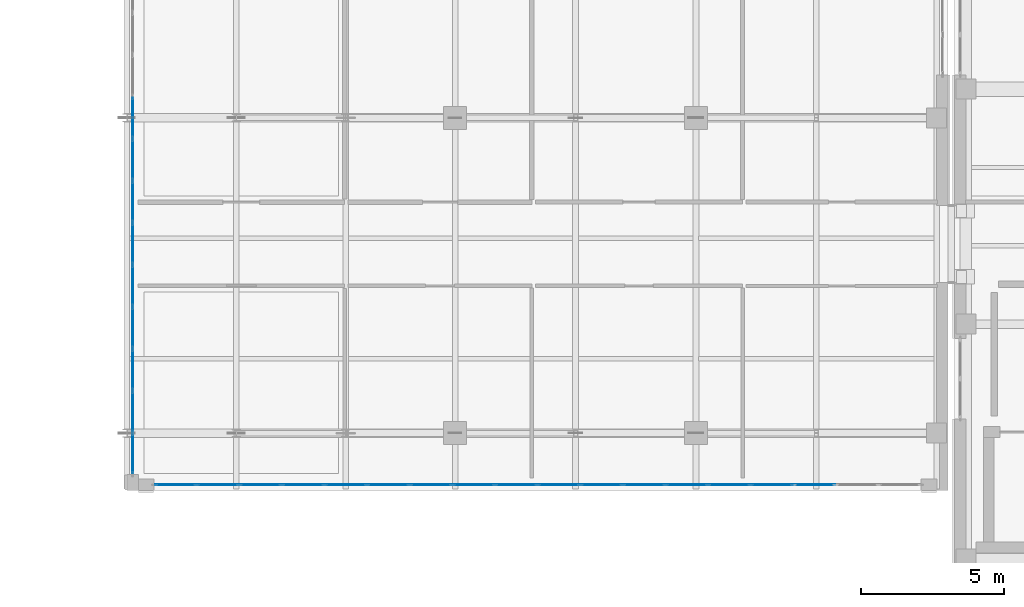
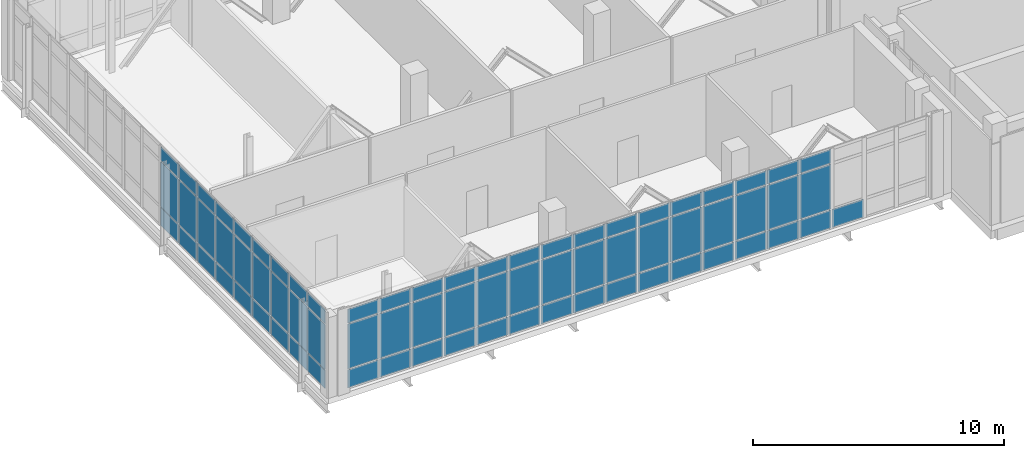
# One storey, part 110 of 158: 73 plates, 2 elements without a shape of their own.
"""IFC4 building model written with IfcOpenShell, lengths in metres."""

from ifc_helpers import new_model, si_unit, direction, frame, origin, origin_2d, place, context, subcontext, project, spatial, rectangle, extrude, material, layer, layer_set, type_object, element, aggregate, save


model = new_model("IFC4")

# Units and contexts
model_context = context("Model", 3, precision=1e-05, world=origin(), true_north=direction((0.0, 1.0)))
body_context = subcontext(model_context, "Body", "Model", "MODEL_VIEW")
ifc_project = project(units=[si_unit("LENGTHUNIT", "METRE"), si_unit("AREAUNIT", "SQUARE_METRE"), si_unit("VOLUMEUNIT", "CUBIC_METRE"), si_unit("PLANEANGLEUNIT", "RADIAN"), si_unit("MASSUNIT", "GRAM", prefix="KILO")], contexts=[model_context])

# Site, building, storey
site_placement = place(None, origin())
site = spatial("IfcSite", under=ifc_project, at=site_placement, CompositionType="ELEMENT")
building_placement = place(site_placement, origin())
building = spatial("IfcBuilding", under=site, at=building_placement, Name="Qalavern Law Courts", CompositionType="ELEMENT")
storey_placement = place(building_placement, frame((0.0, 0.0, 18.60009765625)))
storey = spatial("IfcBuildingStorey", under=building, at=storey_placement, Name="L04", CompositionType="ELEMENT", Elevation=18.60009765625)

# Curtain wall, plates
ifc_material_1 = material(Name="Anodised aluminium and insulated glazing", Category="aluminium")
ifc_layer_1 = layer(ifc_material_1, 0.199951171875)
ifc_layer_set_1 = layer_set([ifc_layer_1], Name="Anodised aluminium and insulated glazing")
curtain_wall_type = type_object("IfcCurtainWallType", Name="ENV-CW-FOYER", PredefinedType="USERDEFINED", material=ifc_layer_set_1)
curtain_wall_1_placement = place(storey_placement, origin())
curtain_wall_1 = element("IfcCurtainWall", 1, at=curtain_wall_1_placement, inside=storey, type_object=curtain_wall_type, Name="V1 unitised curtain wall L04 south 1", ObjectType="UNITISED CURTAIN WALL", PredefinedType="USERDEFINED")
ifc_material_2 = material(Name="Insulated low-E acoustic glazing", Category="glass")
ifc_layer_2 = layer(ifc_material_2, 0.02392578125)
ifc_layer_set_2 = layer_set([ifc_layer_2], Name="Insulated low-E acoustic glazing")
plate_type = type_object("IfcPlateType", Name="ENV-CWP-24", PredefinedType="CURTAIN_PANEL", material=ifc_layer_set_2)
plate_1_placement = place(storey_placement, frame((7.05029296875, 8.199951171875, 0.0478515625), z_axis=(0.0, 0.0, 1.0), x_axis=(1.0, 0.0, 0.0)))
plate_1 = element("IfcPlate", 2, at=plate_1_placement, type_object=plate_type, Name="CW-01 panel 1.1", PredefinedType="CURTAIN_PANEL", context=body_context, shape_type="SweptSolid", body=[
    extrude(rectangle(XDim=1.41455078125, YDim=0.02392578125, at=origin_2d()), origin(), (0.0, 0.0, 1.0), 0.8779296875),
])
plate_2_placement = place(storey_placement, frame((7.05029296875, 8.199951171875, 0.97412109375), z_axis=(0.0, 0.0, 1.0), x_axis=(1.0, 0.0, 0.0)))
plate_2 = element("IfcPlate", 3, at=plate_2_placement, type_object=plate_type, Name="CW-01 panel 1.2", PredefinedType="CURTAIN_PANEL", context=body_context, shape_type="SweptSolid", body=[
    extrude(rectangle(XDim=1.41455078125, YDim=0.02392578125, at=origin_2d()), origin(), (0.0, 0.0, 1.0), 2.177001953125),
])
plate_3_placement = place(storey_placement, frame((7.05029296875, 8.199951171875, 3.19873046875), z_axis=(0.0, 0.0, 1.0), x_axis=(1.0, 0.0, 0.0)))
plate_3 = element("IfcPlate", 4, at=plate_3_placement, type_object=plate_type, Name="CW-01 panel 1.3", PredefinedType="CURTAIN_PANEL", context=body_context, shape_type="SweptSolid", body=[
    extrude(rectangle(XDim=1.41455078125, YDim=0.02392578125, at=origin_2d()), origin(), (0.0, 0.0, 1.0), 0.677978515625),
])
plate_4_placement = place(storey_placement, frame((8.52490234375, 8.199951171875, 0.0478515625), z_axis=(0.0, 0.0, 1.0), x_axis=(1.0, 0.0, 0.0)))
plate_4 = element("IfcPlate", 5, at=plate_4_placement, type_object=plate_type, Name="CW-01 panel 2.1", PredefinedType="CURTAIN_PANEL", context=body_context, shape_type="SweptSolid", body=[
    extrude(rectangle(XDim=1.438720703125, YDim=0.02392578125, at=origin_2d()), origin(), (0.0, 0.0, 1.0), 0.8779296875),
])
plate_5_placement = place(storey_placement, frame((8.52490234375, 8.199951171875, 0.97412109375), z_axis=(0.0, 0.0, 1.0), x_axis=(1.0, 0.0, 0.0)))
plate_5 = element("IfcPlate", 6, at=plate_5_placement, type_object=plate_type, Name="CW-01 panel 2.2", PredefinedType="CURTAIN_PANEL", context=body_context, shape_type="SweptSolid", body=[
    extrude(rectangle(XDim=1.438720703125, YDim=0.02392578125, at=origin_2d()), origin(), (0.0, 0.0, 1.0), 2.177001953125),
])
plate_6_placement = place(storey_placement, frame((8.52490234375, 8.199951171875, 3.19873046875), z_axis=(0.0, 0.0, 1.0), x_axis=(1.0, 0.0, 0.0)))
plate_6 = element("IfcPlate", 7, at=plate_6_placement, type_object=plate_type, Name="CW-01 panel 2.3", PredefinedType="CURTAIN_PANEL", context=body_context, shape_type="SweptSolid", body=[
    extrude(rectangle(XDim=1.438720703125, YDim=0.02392578125, at=origin_2d()), origin(), (0.0, 0.0, 1.0), 0.677978515625),
])
plate_7_placement = place(storey_placement, frame((10.01171875, 8.199951171875, 0.0478515625), z_axis=(0.0, 0.0, 1.0), x_axis=(1.0, 0.0, 0.0)))
plate_7 = element("IfcPlate", 8, at=plate_7_placement, type_object=plate_type, Name="CW-01 panel 3.1", PredefinedType="CURTAIN_PANEL", context=body_context, shape_type="SweptSolid", body=[
    extrude(rectangle(XDim=1.438720703125, YDim=0.02392578125, at=origin_2d()), origin(), (0.0, 0.0, 1.0), 0.8779296875),
])
plate_8_placement = place(storey_placement, frame((10.01171875, 8.199951171875, 0.97412109375), z_axis=(0.0, 0.0, 1.0), x_axis=(1.0, 0.0, 0.0)))
plate_8 = element("IfcPlate", 9, at=plate_8_placement, type_object=plate_type, Name="CW-01 panel 3.2", PredefinedType="CURTAIN_PANEL", context=body_context, shape_type="SweptSolid", body=[
    extrude(rectangle(XDim=1.438720703125, YDim=0.02392578125, at=origin_2d()), origin(), (0.0, 0.0, 1.0), 2.177001953125),
])
plate_9_placement = place(storey_placement, frame((10.01171875, 8.199951171875, 3.19873046875), z_axis=(0.0, 0.0, 1.0), x_axis=(1.0, 0.0, 0.0)))
plate_9 = element("IfcPlate", 10, at=plate_9_placement, type_object=plate_type, Name="CW-01 panel 3.3", PredefinedType="CURTAIN_PANEL", context=body_context, shape_type="SweptSolid", body=[
    extrude(rectangle(XDim=1.438720703125, YDim=0.02392578125, at=origin_2d()), origin(), (0.0, 0.0, 1.0), 0.677978515625),
])
plate_10_placement = place(storey_placement, frame((11.498291015625, 8.199951171875, 0.0478515625), z_axis=(0.0, 0.0, 1.0), x_axis=(1.0, 0.0, 0.0)))
plate_10 = element("IfcPlate", 11, at=plate_10_placement, type_object=plate_type, Name="CW-01 panel 4.1", PredefinedType="CURTAIN_PANEL", context=body_context, shape_type="SweptSolid", body=[
    extrude(rectangle(XDim=1.438720703125, YDim=0.02392578125, at=origin_2d()), origin(), (0.0, 0.0, 1.0), 0.8779296875),
])
plate_11_placement = place(storey_placement, frame((11.498291015625, 8.199951171875, 0.97412109375), z_axis=(0.0, 0.0, 1.0), x_axis=(1.0, 0.0, 0.0)))
plate_11 = element("IfcPlate", 12, at=plate_11_placement, type_object=plate_type, Name="CW-01 panel 4.2", PredefinedType="CURTAIN_PANEL", context=body_context, shape_type="SweptSolid", body=[
    extrude(rectangle(XDim=1.438720703125, YDim=0.02392578125, at=origin_2d()), origin(), (0.0, 0.0, 1.0), 2.177001953125),
])
plate_12_placement = place(storey_placement, frame((11.498291015625, 8.199951171875, 3.19873046875), z_axis=(0.0, 0.0, 1.0), x_axis=(1.0, 0.0, 0.0)))
plate_12 = element("IfcPlate", 13, at=plate_12_placement, type_object=plate_type, Name="CW-01 panel 4.3", PredefinedType="CURTAIN_PANEL", context=body_context, shape_type="SweptSolid", body=[
    extrude(rectangle(XDim=1.438720703125, YDim=0.02392578125, at=origin_2d()), origin(), (0.0, 0.0, 1.0), 0.677978515625),
])
plate_13_placement = place(storey_placement, frame((12.985107421875, 8.199951171875, 0.0478515625), z_axis=(0.0, 0.0, 1.0), x_axis=(1.0, 0.0, 0.0)))
plate_13 = element("IfcPlate", 14, at=plate_13_placement, type_object=plate_type, Name="CW-01 panel 5.1", PredefinedType="CURTAIN_PANEL", context=body_context, shape_type="SweptSolid", body=[
    extrude(rectangle(XDim=1.438720703125, YDim=0.02392578125, at=origin_2d()), origin(), (0.0, 0.0, 1.0), 0.8779296875),
])
plate_14_placement = place(storey_placement, frame((12.985107421875, 8.199951171875, 0.97412109375), z_axis=(0.0, 0.0, 1.0), x_axis=(1.0, 0.0, 0.0)))
plate_14 = element("IfcPlate", 15, at=plate_14_placement, type_object=plate_type, Name="CW-01 panel 5.2", PredefinedType="CURTAIN_PANEL", context=body_context, shape_type="SweptSolid", body=[
    extrude(rectangle(XDim=1.438720703125, YDim=0.02392578125, at=origin_2d()), origin(), (0.0, 0.0, 1.0), 2.177001953125),
])
plate_15_placement = place(storey_placement, frame((12.985107421875, 8.199951171875, 3.19873046875), z_axis=(0.0, 0.0, 1.0), x_axis=(1.0, 0.0, 0.0)))
plate_15 = element("IfcPlate", 16, at=plate_15_placement, type_object=plate_type, Name="CW-01 panel 5.3", PredefinedType="CURTAIN_PANEL", context=body_context, shape_type="SweptSolid", body=[
    extrude(rectangle(XDim=1.438720703125, YDim=0.02392578125, at=origin_2d()), origin(), (0.0, 0.0, 1.0), 0.677978515625),
])
plate_16_placement = place(storey_placement, frame((14.4716796875, 8.199951171875, 0.0478515625), z_axis=(0.0, 0.0, 1.0), x_axis=(1.0, 0.0, 0.0)))
plate_16 = element("IfcPlate", 17, at=plate_16_placement, type_object=plate_type, Name="CW-01 panel 6.1", PredefinedType="CURTAIN_PANEL", context=body_context, shape_type="SweptSolid", body=[
    extrude(rectangle(XDim=1.438720703125, YDim=0.02392578125, at=origin_2d()), origin(), (0.0, 0.0, 1.0), 0.8779296875),
])
plate_17_placement = place(storey_placement, frame((14.4716796875, 8.199951171875, 0.97412109375), z_axis=(0.0, 0.0, 1.0), x_axis=(1.0, 0.0, 0.0)))
plate_17 = element("IfcPlate", 18, at=plate_17_placement, type_object=plate_type, Name="CW-01 panel 6.2", PredefinedType="CURTAIN_PANEL", context=body_context, shape_type="SweptSolid", body=[
    extrude(rectangle(XDim=1.438720703125, YDim=0.02392578125, at=origin_2d()), origin(), (0.0, 0.0, 1.0), 2.177001953125),
])
plate_18_placement = place(storey_placement, frame((14.4716796875, 8.199951171875, 3.19873046875), z_axis=(0.0, 0.0, 1.0), x_axis=(1.0, 0.0, 0.0)))
plate_18 = element("IfcPlate", 19, at=plate_18_placement, type_object=plate_type, Name="CW-01 panel 6.3", PredefinedType="CURTAIN_PANEL", context=body_context, shape_type="SweptSolid", body=[
    extrude(rectangle(XDim=1.438720703125, YDim=0.02392578125, at=origin_2d()), origin(), (0.0, 0.0, 1.0), 0.677978515625),
])
plate_19_placement = place(storey_placement, frame((15.958251953125, 8.199951171875, 0.0478515625), z_axis=(0.0, 0.0, 1.0), x_axis=(1.0, 0.0, 0.0)))
plate_19 = element("IfcPlate", 20, at=plate_19_placement, type_object=plate_type, Name="CW-01 panel 7.1", PredefinedType="CURTAIN_PANEL", context=body_context, shape_type="SweptSolid", body=[
    extrude(rectangle(XDim=1.438720703125, YDim=0.02392578125, at=origin_2d()), origin(), (0.0, 0.0, 1.0), 0.8779296875),
])
plate_20_placement = place(storey_placement, frame((15.958251953125, 8.199951171875, 0.97412109375), z_axis=(0.0, 0.0, 1.0), x_axis=(1.0, 0.0, 0.0)))
plate_20 = element("IfcPlate", 21, at=plate_20_placement, type_object=plate_type, Name="CW-01 panel 7.2", PredefinedType="CURTAIN_PANEL", context=body_context, shape_type="SweptSolid", body=[
    extrude(rectangle(XDim=1.438720703125, YDim=0.02392578125, at=origin_2d()), origin(), (0.0, 0.0, 1.0), 2.177001953125),
])
plate_21_placement = place(storey_placement, frame((15.958251953125, 8.199951171875, 3.19873046875), z_axis=(0.0, 0.0, 1.0), x_axis=(1.0, 0.0, 0.0)))
plate_21 = element("IfcPlate", 22, at=plate_21_placement, type_object=plate_type, Name="CW-01 panel 7.3", PredefinedType="CURTAIN_PANEL", context=body_context, shape_type="SweptSolid", body=[
    extrude(rectangle(XDim=1.438720703125, YDim=0.02392578125, at=origin_2d()), origin(), (0.0, 0.0, 1.0), 0.677978515625),
])
plate_22_placement = place(storey_placement, frame((17.445068359375, 8.199951171875, 0.0478515625), z_axis=(0.0, 0.0, 1.0), x_axis=(1.0, 0.0, 0.0)))
plate_22 = element("IfcPlate", 23, at=plate_22_placement, type_object=plate_type, Name="CW-01 panel 8.1", PredefinedType="CURTAIN_PANEL", context=body_context, shape_type="SweptSolid", body=[
    extrude(rectangle(XDim=1.438720703125, YDim=0.02392578125, at=origin_2d()), origin(), (0.0, 0.0, 1.0), 0.8779296875),
])
plate_23_placement = place(storey_placement, frame((17.445068359375, 8.199951171875, 0.97412109375), z_axis=(0.0, 0.0, 1.0), x_axis=(1.0, 0.0, 0.0)))
plate_23 = element("IfcPlate", 24, at=plate_23_placement, type_object=plate_type, Name="CW-01 panel 8.2", PredefinedType="CURTAIN_PANEL", context=body_context, shape_type="SweptSolid", body=[
    extrude(rectangle(XDim=1.438720703125, YDim=0.02392578125, at=origin_2d()), origin(), (0.0, 0.0, 1.0), 2.177001953125),
])
plate_24_placement = place(storey_placement, frame((17.445068359375, 8.199951171875, 3.19873046875), z_axis=(0.0, 0.0, 1.0), x_axis=(1.0, 0.0, 0.0)))
plate_24 = element("IfcPlate", 25, at=plate_24_placement, type_object=plate_type, Name="CW-01 panel 8.3", PredefinedType="CURTAIN_PANEL", context=body_context, shape_type="SweptSolid", body=[
    extrude(rectangle(XDim=1.438720703125, YDim=0.02392578125, at=origin_2d()), origin(), (0.0, 0.0, 1.0), 0.677978515625),
])
plate_25_placement = place(storey_placement, frame((18.931640625, 8.199951171875, 0.0478515625), z_axis=(0.0, 0.0, 1.0), x_axis=(1.0, 0.0, 0.0)))
plate_25 = element("IfcPlate", 26, at=plate_25_placement, type_object=plate_type, Name="CW-01 panel 9.1", PredefinedType="CURTAIN_PANEL", context=body_context, shape_type="SweptSolid", body=[
    extrude(rectangle(XDim=1.438720703125, YDim=0.02392578125, at=origin_2d()), origin(), (0.0, 0.0, 1.0), 0.8779296875),
])
plate_26_placement = place(storey_placement, frame((18.931640625, 8.199951171875, 0.97412109375), z_axis=(0.0, 0.0, 1.0), x_axis=(1.0, 0.0, 0.0)))
plate_26 = element("IfcPlate", 27, at=plate_26_placement, type_object=plate_type, Name="CW-01 panel 9.2", PredefinedType="CURTAIN_PANEL", context=body_context, shape_type="SweptSolid", body=[
    extrude(rectangle(XDim=1.438720703125, YDim=0.02392578125, at=origin_2d()), origin(), (0.0, 0.0, 1.0), 2.177001953125),
])
plate_27_placement = place(storey_placement, frame((18.931640625, 8.199951171875, 3.19873046875), z_axis=(0.0, 0.0, 1.0), x_axis=(1.0, 0.0, 0.0)))
plate_27 = element("IfcPlate", 28, at=plate_27_placement, type_object=plate_type, Name="CW-01 panel 9.3", PredefinedType="CURTAIN_PANEL", context=body_context, shape_type="SweptSolid", body=[
    extrude(rectangle(XDim=1.438720703125, YDim=0.02392578125, at=origin_2d()), origin(), (0.0, 0.0, 1.0), 0.677978515625),
])
plate_28_placement = place(storey_placement, frame((20.418212890625, 8.199951171875, 0.0478515625), z_axis=(0.0, 0.0, 1.0), x_axis=(1.0, 0.0, 0.0)))
plate_28 = element("IfcPlate", 29, at=plate_28_placement, type_object=plate_type, Name="CW-01 panel 10.1", PredefinedType="CURTAIN_PANEL", context=body_context, shape_type="SweptSolid", body=[
    extrude(rectangle(XDim=1.438720703125, YDim=0.02392578125, at=origin_2d()), origin(), (0.0, 0.0, 1.0), 0.8779296875),
])
plate_29_placement = place(storey_placement, frame((20.418212890625, 8.199951171875, 0.97412109375), z_axis=(0.0, 0.0, 1.0), x_axis=(1.0, 0.0, 0.0)))
plate_29 = element("IfcPlate", 30, at=plate_29_placement, type_object=plate_type, Name="CW-01 panel 10.2", PredefinedType="CURTAIN_PANEL", context=body_context, shape_type="SweptSolid", body=[
    extrude(rectangle(XDim=1.438720703125, YDim=0.02392578125, at=origin_2d()), origin(), (0.0, 0.0, 1.0), 2.177001953125),
])
plate_30_placement = place(storey_placement, frame((20.418212890625, 8.199951171875, 3.19873046875), z_axis=(0.0, 0.0, 1.0), x_axis=(1.0, 0.0, 0.0)))
plate_30 = element("IfcPlate", 31, at=plate_30_placement, type_object=plate_type, Name="CW-01 panel 10.3", PredefinedType="CURTAIN_PANEL", context=body_context, shape_type="SweptSolid", body=[
    extrude(rectangle(XDim=1.438720703125, YDim=0.02392578125, at=origin_2d()), origin(), (0.0, 0.0, 1.0), 0.677978515625),
])
plate_31_placement = place(storey_placement, frame((21.905029296875, 8.199951171875, 0.0478515625), z_axis=(0.0, 0.0, 1.0), x_axis=(1.0, 0.0, 0.0)))
plate_31 = element("IfcPlate", 32, at=plate_31_placement, type_object=plate_type, Name="CW-01 panel 11.1", PredefinedType="CURTAIN_PANEL", context=body_context, shape_type="SweptSolid", body=[
    extrude(rectangle(XDim=1.438720703125, YDim=0.02392578125, at=origin_2d()), origin(), (0.0, 0.0, 1.0), 0.8779296875),
])
plate_32_placement = place(storey_placement, frame((21.905029296875, 8.199951171875, 0.97412109375), z_axis=(0.0, 0.0, 1.0), x_axis=(1.0, 0.0, 0.0)))
plate_32 = element("IfcPlate", 33, at=plate_32_placement, type_object=plate_type, Name="CW-01 panel 11.2", PredefinedType="CURTAIN_PANEL", context=body_context, shape_type="SweptSolid", body=[
    extrude(rectangle(XDim=1.438720703125, YDim=0.02392578125, at=origin_2d()), origin(), (0.0, 0.0, 1.0), 2.177001953125),
])
plate_33_placement = place(storey_placement, frame((21.905029296875, 8.199951171875, 3.19873046875), z_axis=(0.0, 0.0, 1.0), x_axis=(1.0, 0.0, 0.0)))
plate_33 = element("IfcPlate", 34, at=plate_33_placement, type_object=plate_type, Name="CW-01 panel 11.3", PredefinedType="CURTAIN_PANEL", context=body_context, shape_type="SweptSolid", body=[
    extrude(rectangle(XDim=1.438720703125, YDim=0.02392578125, at=origin_2d()), origin(), (0.0, 0.0, 1.0), 0.677978515625),
])
plate_34_placement = place(storey_placement, frame((23.3916015625, 8.199951171875, 0.0478515625), z_axis=(0.0, 0.0, 1.0), x_axis=(1.0, 0.0, 0.0)))
plate_34 = element("IfcPlate", 35, at=plate_34_placement, type_object=plate_type, Name="CW-01 panel 12.1", PredefinedType="CURTAIN_PANEL", context=body_context, shape_type="SweptSolid", body=[
    extrude(rectangle(XDim=1.438720703125, YDim=0.02392578125, at=origin_2d()), origin(), (0.0, 0.0, 1.0), 0.8779296875),
])
plate_35_placement = place(storey_placement, frame((23.3916015625, 8.199951171875, 0.97412109375), z_axis=(0.0, 0.0, 1.0), x_axis=(1.0, 0.0, 0.0)))
plate_35 = element("IfcPlate", 36, at=plate_35_placement, type_object=plate_type, Name="CW-01 panel 12.2", PredefinedType="CURTAIN_PANEL", context=body_context, shape_type="SweptSolid", body=[
    extrude(rectangle(XDim=1.438720703125, YDim=0.02392578125, at=origin_2d()), origin(), (0.0, 0.0, 1.0), 2.177001953125),
])
plate_36_placement = place(storey_placement, frame((23.3916015625, 8.199951171875, 3.19873046875), z_axis=(0.0, 0.0, 1.0), x_axis=(1.0, 0.0, 0.0)))
plate_36 = element("IfcPlate", 37, at=plate_36_placement, type_object=plate_type, Name="CW-01 panel 12.3", PredefinedType="CURTAIN_PANEL", context=body_context, shape_type="SweptSolid", body=[
    extrude(rectangle(XDim=1.438720703125, YDim=0.02392578125, at=origin_2d()), origin(), (0.0, 0.0, 1.0), 0.677978515625),
])
plate_37_placement = place(storey_placement, frame((24.87841796875, 8.199951171875, 0.0478515625), z_axis=(0.0, 0.0, 1.0), x_axis=(1.0, 0.0, 0.0)))
plate_37 = element("IfcPlate", 38, at=plate_37_placement, type_object=plate_type, Name="CW-01 panel 13.1", PredefinedType="CURTAIN_PANEL", context=body_context, shape_type="SweptSolid", body=[
    extrude(rectangle(XDim=1.438720703125, YDim=0.02392578125, at=origin_2d()), origin(), (0.0, 0.0, 1.0), 0.8779296875),
])
plate_38_placement = place(storey_placement, frame((24.87841796875, 8.199951171875, 0.97412109375), z_axis=(0.0, 0.0, 1.0), x_axis=(1.0, 0.0, 0.0)))
plate_38 = element("IfcPlate", 39, at=plate_38_placement, type_object=plate_type, Name="CW-01 panel 13.2", PredefinedType="CURTAIN_PANEL", context=body_context, shape_type="SweptSolid", body=[
    extrude(rectangle(XDim=1.438720703125, YDim=0.02392578125, at=origin_2d()), origin(), (0.0, 0.0, 1.0), 2.177001953125),
])
plate_39_placement = place(storey_placement, frame((24.87841796875, 8.199951171875, 3.19873046875), z_axis=(0.0, 0.0, 1.0), x_axis=(1.0, 0.0, 0.0)))
plate_39 = element("IfcPlate", 40, at=plate_39_placement, type_object=plate_type, Name="CW-01 panel 13.3", PredefinedType="CURTAIN_PANEL", context=body_context, shape_type="SweptSolid", body=[
    extrude(rectangle(XDim=1.438720703125, YDim=0.02392578125, at=origin_2d()), origin(), (0.0, 0.0, 1.0), 0.677978515625),
])
plate_40_placement = place(storey_placement, frame((26.364990234375, 8.199951171875, 0.0478515625), z_axis=(0.0, 0.0, 1.0), x_axis=(1.0, 0.0, 0.0)))
plate_40 = element("IfcPlate", 41, at=plate_40_placement, type_object=plate_type, Name="CW-01 panel 14.1", PredefinedType="CURTAIN_PANEL", context=body_context, shape_type="SweptSolid", body=[
    extrude(rectangle(XDim=1.438720703125, YDim=0.02392578125, at=origin_2d()), origin(), (0.0, 0.0, 1.0), 0.8779296875),
])
plate_41_placement = place(storey_placement, frame((26.364990234375, 8.199951171875, 0.97412109375), z_axis=(0.0, 0.0, 1.0), x_axis=(1.0, 0.0, 0.0)))
plate_41 = element("IfcPlate", 42, at=plate_41_placement, type_object=plate_type, Name="CW-01 panel 14.2", PredefinedType="CURTAIN_PANEL", context=body_context, shape_type="SweptSolid", body=[
    extrude(rectangle(XDim=1.438720703125, YDim=0.02392578125, at=origin_2d()), origin(), (0.0, 0.0, 1.0), 2.177001953125),
])
plate_42_placement = place(storey_placement, frame((26.364990234375, 8.199951171875, 3.19873046875), z_axis=(0.0, 0.0, 1.0), x_axis=(1.0, 0.0, 0.0)))
plate_42 = element("IfcPlate", 43, at=plate_42_placement, type_object=plate_type, Name="CW-01 panel 14.3", PredefinedType="CURTAIN_PANEL", context=body_context, shape_type="SweptSolid", body=[
    extrude(rectangle(XDim=1.438720703125, YDim=0.02392578125, at=origin_2d()), origin(), (0.0, 0.0, 1.0), 0.677978515625),
])
plate_43_placement = place(storey_placement, frame((27.8515625, 8.199951171875, 0.0478515625), z_axis=(0.0, 0.0, 1.0), x_axis=(1.0, 0.0, 0.0)))
plate_43 = element("IfcPlate", 44, at=plate_43_placement, type_object=plate_type, Name="CW-01 panel 15.1", PredefinedType="CURTAIN_PANEL", context=body_context, shape_type="SweptSolid", body=[
    extrude(rectangle(XDim=1.438720703125, YDim=0.02392578125, at=origin_2d()), origin(), (0.0, 0.0, 1.0), 0.8779296875),
])
plate_44_placement = place(storey_placement, frame((27.8515625, 8.199951171875, 0.97412109375), z_axis=(0.0, 0.0, 1.0), x_axis=(1.0, 0.0, 0.0)))
plate_44 = element("IfcPlate", 45, at=plate_44_placement, type_object=plate_type, Name="CW-01 panel 15.2", PredefinedType="CURTAIN_PANEL", context=body_context, shape_type="SweptSolid", body=[
    extrude(rectangle(XDim=1.438720703125, YDim=0.02392578125, at=origin_2d()), origin(), (0.0, 0.0, 1.0), 2.177001953125),
])
plate_45_placement = place(storey_placement, frame((27.8515625, 8.199951171875, 3.19873046875), z_axis=(0.0, 0.0, 1.0), x_axis=(1.0, 0.0, 0.0)))
plate_45 = element("IfcPlate", 46, at=plate_45_placement, type_object=plate_type, Name="CW-01 panel 15.3", PredefinedType="CURTAIN_PANEL", context=body_context, shape_type="SweptSolid", body=[
    extrude(rectangle(XDim=1.438720703125, YDim=0.02392578125, at=origin_2d()), origin(), (0.0, 0.0, 1.0), 0.677978515625),
])
plate_46_placement = place(storey_placement, frame((29.33837890625, 8.199951171875, 0.0478515625), z_axis=(0.0, 0.0, 1.0), x_axis=(1.0, 0.0, 0.0)))
plate_46 = element("IfcPlate", 47, at=plate_46_placement, type_object=plate_type, Name="CW-01 panel 16.1", PredefinedType="CURTAIN_PANEL", context=body_context, shape_type="SweptSolid", body=[
    extrude(rectangle(XDim=1.438720703125, YDim=0.02392578125, at=origin_2d()), origin(), (0.0, 0.0, 1.0), 0.8779296875),
])
aggregate(curtain_wall_1, [plate_1, plate_2, plate_3, plate_4, plate_5, plate_6, plate_7, plate_8, plate_9, plate_10, plate_11, plate_12, plate_13, plate_14, plate_15, plate_16, plate_17, plate_18, plate_19, plate_20, plate_21, plate_22, plate_23, plate_24, plate_25, plate_26, plate_27, plate_28, plate_29, plate_30, plate_31, plate_32, plate_33, plate_34, plate_35, plate_36, plate_37, plate_38, plate_39, plate_40, plate_41, plate_42, plate_43, plate_44, plate_45, plate_46])

curtain_wall_2_placement = place(storey_placement, origin())
curtain_wall_2 = element("IfcCurtainWall", 48, at=curtain_wall_2_placement, inside=storey, type_object=curtain_wall_type, Name="V1 unitised curtain wall L04 west 1", ObjectType="UNITISED CURTAIN WALL", PredefinedType="USERDEFINED")
plate_47_placement = place(storey_placement, frame((5.550048828125, 21.0, 0.0478515625), z_axis=(0.0, 0.0, 1.0), x_axis=(0.0, -1.0, 0.0)))
plate_47 = element("IfcPlate", 49, at=plate_47_placement, type_object=plate_type, Name="CW-01 panel 9.1", PredefinedType="CURTAIN_PANEL", context=body_context, shape_type="SweptSolid", body=[
    extrude(rectangle(XDim=1.416748046875, YDim=0.02392578125, at=origin_2d()), origin(), (0.0, 0.0, 1.0), 0.8779296875),
])
plate_48_placement = place(storey_placement, frame((5.550048828125, 21.0, 0.97412109375), z_axis=(0.0, 0.0, 1.0), x_axis=(0.0, -1.0, 0.0)))
plate_48 = element("IfcPlate", 50, at=plate_48_placement, type_object=plate_type, Name="CW-01 panel 9.2", PredefinedType="CURTAIN_PANEL", context=body_context, shape_type="SweptSolid", body=[
    extrude(rectangle(XDim=1.416748046875, YDim=0.02392578125, at=origin_2d()), origin(), (0.0, 0.0, 1.0), 2.177001953125),
])
plate_49_placement = place(storey_placement, frame((5.550048828125, 21.0, 3.19873046875), z_axis=(0.0, 0.0, 1.0), x_axis=(0.0, -1.0, 0.0)))
plate_49 = element("IfcPlate", 51, at=plate_49_placement, type_object=plate_type, Name="CW-01 panel 9.3", PredefinedType="CURTAIN_PANEL", context=body_context, shape_type="SweptSolid", body=[
    extrude(rectangle(XDim=1.416748046875, YDim=0.02392578125, at=origin_2d()), origin(), (0.0, 0.0, 1.0), 0.677978515625),
])
plate_50_placement = place(storey_placement, frame((5.550048828125, 19.535400390625, 0.0478515625), z_axis=(0.0, 0.0, 1.0), x_axis=(0.0, -1.0, 0.0)))
plate_50 = element("IfcPlate", 52, at=plate_50_placement, type_object=plate_type, Name="CW-01 panel 10.1", PredefinedType="CURTAIN_PANEL", context=body_context, shape_type="SweptSolid", body=[
    extrude(rectangle(XDim=1.416748046875, YDim=0.02392578125, at=origin_2d()), origin(), (0.0, 0.0, 1.0), 0.8779296875),
])
plate_51_placement = place(storey_placement, frame((5.550048828125, 19.535400390625, 0.97412109375), z_axis=(0.0, 0.0, 1.0), x_axis=(0.0, -1.0, 0.0)))
plate_51 = element("IfcPlate", 53, at=plate_51_placement, type_object=plate_type, Name="CW-01 panel 10.2", PredefinedType="CURTAIN_PANEL", context=body_context, shape_type="SweptSolid", body=[
    extrude(rectangle(XDim=1.416748046875, YDim=0.02392578125, at=origin_2d()), origin(), (0.0, 0.0, 1.0), 2.177001953125),
])
plate_52_placement = place(storey_placement, frame((5.550048828125, 19.535400390625, 3.19873046875), z_axis=(0.0, 0.0, 1.0), x_axis=(0.0, -1.0, 0.0)))
plate_52 = element("IfcPlate", 54, at=plate_52_placement, type_object=plate_type, Name="CW-01 panel 10.3", PredefinedType="CURTAIN_PANEL", context=body_context, shape_type="SweptSolid", body=[
    extrude(rectangle(XDim=1.416748046875, YDim=0.02392578125, at=origin_2d()), origin(), (0.0, 0.0, 1.0), 0.677978515625),
])
plate_53_placement = place(storey_placement, frame((5.550048828125, 18.070556640625, 0.0478515625), z_axis=(0.0, 0.0, 1.0), x_axis=(0.0, -1.0, 0.0)))
plate_53 = element("IfcPlate", 55, at=plate_53_placement, type_object=plate_type, Name="CW-01 panel 11.1", PredefinedType="CURTAIN_PANEL", context=body_context, shape_type="SweptSolid", body=[
    extrude(rectangle(XDim=1.416748046875, YDim=0.02392578125, at=origin_2d()), origin(), (0.0, 0.0, 1.0), 0.8779296875),
])
plate_54_placement = place(storey_placement, frame((5.550048828125, 18.070556640625, 0.97412109375), z_axis=(0.0, 0.0, 1.0), x_axis=(0.0, -1.0, 0.0)))
plate_54 = element("IfcPlate", 56, at=plate_54_placement, type_object=plate_type, Name="CW-01 panel 11.2", PredefinedType="CURTAIN_PANEL", context=body_context, shape_type="SweptSolid", body=[
    extrude(rectangle(XDim=1.416748046875, YDim=0.02392578125, at=origin_2d()), origin(), (0.0, 0.0, 1.0), 2.177001953125),
])
plate_55_placement = place(storey_placement, frame((5.550048828125, 18.070556640625, 3.19873046875), z_axis=(0.0, 0.0, 1.0), x_axis=(0.0, -1.0, 0.0)))
plate_55 = element("IfcPlate", 57, at=plate_55_placement, type_object=plate_type, Name="CW-01 panel 11.3", PredefinedType="CURTAIN_PANEL", context=body_context, shape_type="SweptSolid", body=[
    extrude(rectangle(XDim=1.416748046875, YDim=0.02392578125, at=origin_2d()), origin(), (0.0, 0.0, 1.0), 0.677978515625),
])
plate_56_placement = place(storey_placement, frame((5.550048828125, 16.60595703125, 0.0478515625), z_axis=(0.0, 0.0, 1.0), x_axis=(0.0, -1.0, 0.0)))
plate_56 = element("IfcPlate", 58, at=plate_56_placement, type_object=plate_type, Name="CW-01 panel 12.1", PredefinedType="CURTAIN_PANEL", context=body_context, shape_type="SweptSolid", body=[
    extrude(rectangle(XDim=1.416748046875, YDim=0.02392578125, at=origin_2d()), origin(), (0.0, 0.0, 1.0), 0.8779296875),
])
plate_57_placement = place(storey_placement, frame((5.550048828125, 16.60595703125, 0.97412109375), z_axis=(0.0, 0.0, 1.0), x_axis=(0.0, -1.0, 0.0)))
plate_57 = element("IfcPlate", 59, at=plate_57_placement, type_object=plate_type, Name="CW-01 panel 12.2", PredefinedType="CURTAIN_PANEL", context=body_context, shape_type="SweptSolid", body=[
    extrude(rectangle(XDim=1.416748046875, YDim=0.02392578125, at=origin_2d()), origin(), (0.0, 0.0, 1.0), 2.177001953125),
])
plate_58_placement = place(storey_placement, frame((5.550048828125, 16.60595703125, 3.19873046875), z_axis=(0.0, 0.0, 1.0), x_axis=(0.0, -1.0, 0.0)))
plate_58 = element("IfcPlate", 60, at=plate_58_placement, type_object=plate_type, Name="CW-01 panel 12.3", PredefinedType="CURTAIN_PANEL", context=body_context, shape_type="SweptSolid", body=[
    extrude(rectangle(XDim=1.416748046875, YDim=0.02392578125, at=origin_2d()), origin(), (0.0, 0.0, 1.0), 0.677978515625),
])
plate_59_placement = place(storey_placement, frame((5.550048828125, 15.14111328125, 0.0478515625), z_axis=(0.0, 0.0, 1.0), x_axis=(0.0, -1.0, 0.0)))
plate_59 = element("IfcPlate", 61, at=plate_59_placement, type_object=plate_type, Name="CW-01 panel 13.1", PredefinedType="CURTAIN_PANEL", context=body_context, shape_type="SweptSolid", body=[
    extrude(rectangle(XDim=1.416748046875, YDim=0.02392578125, at=origin_2d()), origin(), (0.0, 0.0, 1.0), 0.8779296875),
])
plate_60_placement = place(storey_placement, frame((5.550048828125, 15.14111328125, 0.97412109375), z_axis=(0.0, 0.0, 1.0), x_axis=(0.0, -1.0, 0.0)))
plate_60 = element("IfcPlate", 62, at=plate_60_placement, type_object=plate_type, Name="CW-01 panel 13.2", PredefinedType="CURTAIN_PANEL", context=body_context, shape_type="SweptSolid", body=[
    extrude(rectangle(XDim=1.416748046875, YDim=0.02392578125, at=origin_2d()), origin(), (0.0, 0.0, 1.0), 2.177001953125),
])
plate_61_placement = place(storey_placement, frame((5.550048828125, 15.14111328125, 3.19873046875), z_axis=(0.0, 0.0, 1.0), x_axis=(0.0, -1.0, 0.0)))
plate_61 = element("IfcPlate", 63, at=plate_61_placement, type_object=plate_type, Name="CW-01 panel 13.3", PredefinedType="CURTAIN_PANEL", context=body_context, shape_type="SweptSolid", body=[
    extrude(rectangle(XDim=1.416748046875, YDim=0.02392578125, at=origin_2d()), origin(), (0.0, 0.0, 1.0), 0.677978515625),
])
plate_62_placement = place(storey_placement, frame((5.550048828125, 13.676513671875, 0.0478515625), z_axis=(0.0, 0.0, 1.0), x_axis=(0.0, -1.0, 0.0)))
plate_62 = element("IfcPlate", 64, at=plate_62_placement, type_object=plate_type, Name="CW-01 panel 14.1", PredefinedType="CURTAIN_PANEL", context=body_context, shape_type="SweptSolid", body=[
    extrude(rectangle(XDim=1.416748046875, YDim=0.02392578125, at=origin_2d()), origin(), (0.0, 0.0, 1.0), 0.8779296875),
])
plate_63_placement = place(storey_placement, frame((5.550048828125, 13.676513671875, 0.97412109375), z_axis=(0.0, 0.0, 1.0), x_axis=(0.0, -1.0, 0.0)))
plate_63 = element("IfcPlate", 65, at=plate_63_placement, type_object=plate_type, Name="CW-01 panel 14.2", PredefinedType="CURTAIN_PANEL", context=body_context, shape_type="SweptSolid", body=[
    extrude(rectangle(XDim=1.416748046875, YDim=0.02392578125, at=origin_2d()), origin(), (0.0, 0.0, 1.0), 2.177001953125),
])
plate_64_placement = place(storey_placement, frame((5.550048828125, 13.676513671875, 3.19873046875), z_axis=(0.0, 0.0, 1.0), x_axis=(0.0, -1.0, 0.0)))
plate_64 = element("IfcPlate", 66, at=plate_64_placement, type_object=plate_type, Name="CW-01 panel 14.3", PredefinedType="CURTAIN_PANEL", context=body_context, shape_type="SweptSolid", body=[
    extrude(rectangle(XDim=1.416748046875, YDim=0.02392578125, at=origin_2d()), origin(), (0.0, 0.0, 1.0), 0.677978515625),
])
plate_65_placement = place(storey_placement, frame((5.550048828125, 12.211669921875, 0.0478515625), z_axis=(0.0, 0.0, 1.0), x_axis=(0.0, -1.0, 0.0)))
plate_65 = element("IfcPlate", 67, at=plate_65_placement, type_object=plate_type, Name="CW-01 panel 15.1", PredefinedType="CURTAIN_PANEL", context=body_context, shape_type="SweptSolid", body=[
    extrude(rectangle(XDim=1.416748046875, YDim=0.02392578125, at=origin_2d()), origin(), (0.0, 0.0, 1.0), 0.8779296875),
])
plate_66_placement = place(storey_placement, frame((5.550048828125, 12.211669921875, 0.97412109375), z_axis=(0.0, 0.0, 1.0), x_axis=(0.0, -1.0, 0.0)))
plate_66 = element("IfcPlate", 68, at=plate_66_placement, type_object=plate_type, Name="CW-01 panel 15.2", PredefinedType="CURTAIN_PANEL", context=body_context, shape_type="SweptSolid", body=[
    extrude(rectangle(XDim=1.416748046875, YDim=0.02392578125, at=origin_2d()), origin(), (0.0, 0.0, 1.0), 2.177001953125),
])
plate_67_placement = place(storey_placement, frame((5.550048828125, 12.211669921875, 3.19873046875), z_axis=(0.0, 0.0, 1.0), x_axis=(0.0, -1.0, 0.0)))
plate_67 = element("IfcPlate", 69, at=plate_67_placement, type_object=plate_type, Name="CW-01 panel 15.3", PredefinedType="CURTAIN_PANEL", context=body_context, shape_type="SweptSolid", body=[
    extrude(rectangle(XDim=1.416748046875, YDim=0.02392578125, at=origin_2d()), origin(), (0.0, 0.0, 1.0), 0.677978515625),
])
plate_68_placement = place(storey_placement, frame((5.550048828125, 10.7470703125, 0.0478515625), z_axis=(0.0, 0.0, 1.0), x_axis=(0.0, -1.0, 0.0)))
plate_68 = element("IfcPlate", 70, at=plate_68_placement, type_object=plate_type, Name="CW-01 panel 16.1", PredefinedType="CURTAIN_PANEL", context=body_context, shape_type="SweptSolid", body=[
    extrude(rectangle(XDim=1.416748046875, YDim=0.02392578125, at=origin_2d()), origin(), (0.0, 0.0, 1.0), 0.8779296875),
])
plate_69_placement = place(storey_placement, frame((5.550048828125, 10.7470703125, 0.97412109375), z_axis=(0.0, 0.0, 1.0), x_axis=(0.0, -1.0, 0.0)))
plate_69 = element("IfcPlate", 71, at=plate_69_placement, type_object=plate_type, Name="CW-01 panel 16.2", PredefinedType="CURTAIN_PANEL", context=body_context, shape_type="SweptSolid", body=[
    extrude(rectangle(XDim=1.416748046875, YDim=0.02392578125, at=origin_2d()), origin(), (0.0, 0.0, 1.0), 2.177001953125),
])
plate_70_placement = place(storey_placement, frame((5.550048828125, 10.7470703125, 3.19873046875), z_axis=(0.0, 0.0, 1.0), x_axis=(0.0, -1.0, 0.0)))
plate_70 = element("IfcPlate", 72, at=plate_70_placement, type_object=plate_type, Name="CW-01 panel 16.3", PredefinedType="CURTAIN_PANEL", context=body_context, shape_type="SweptSolid", body=[
    extrude(rectangle(XDim=1.416748046875, YDim=0.02392578125, at=origin_2d()), origin(), (0.0, 0.0, 1.0), 0.677978515625),
])
plate_71_placement = place(storey_placement, frame((5.550048828125, 9.29443359375, 0.0478515625), z_axis=(0.0, 0.0, 1.0), x_axis=(0.0, -1.0, 0.0)))
plate_71 = element("IfcPlate", 73, at=plate_71_placement, type_object=plate_type, Name="CW-01 panel 17.1", PredefinedType="CURTAIN_PANEL", context=body_context, shape_type="SweptSolid", body=[
    extrude(rectangle(XDim=1.392822265625, YDim=0.02392578125, at=origin_2d()), origin(), (0.0, 0.0, 1.0), 0.8779296875),
])
plate_72_placement = place(storey_placement, frame((5.550048828125, 9.29443359375, 0.97412109375), z_axis=(0.0, 0.0, 1.0), x_axis=(0.0, -1.0, 0.0)))
plate_72 = element("IfcPlate", 74, at=plate_72_placement, type_object=plate_type, Name="CW-01 panel 17.2", PredefinedType="CURTAIN_PANEL", context=body_context, shape_type="SweptSolid", body=[
    extrude(rectangle(XDim=1.392822265625, YDim=0.02392578125, at=origin_2d()), origin(), (0.0, 0.0, 1.0), 2.177001953125),
])
plate_73_placement = place(storey_placement, frame((5.550048828125, 9.29443359375, 3.19873046875), z_axis=(0.0, 0.0, 1.0), x_axis=(0.0, -1.0, 0.0)))
plate_73 = element("IfcPlate", 75, at=plate_73_placement, type_object=plate_type, Name="CW-01 panel 17.3", PredefinedType="CURTAIN_PANEL", context=body_context, shape_type="SweptSolid", body=[
    extrude(rectangle(XDim=1.392822265625, YDim=0.02392578125, at=origin_2d()), origin(), (0.0, 0.0, 1.0), 0.677978515625),
])
aggregate(curtain_wall_2, [plate_47, plate_48, plate_49, plate_50, plate_51, plate_52, plate_53, plate_54, plate_55, plate_56, plate_57, plate_58, plate_59, plate_60, plate_61, plate_62, plate_63, plate_64, plate_65, plate_66, plate_67, plate_68, plate_69, plate_70, plate_71, plate_72, plate_73])

save(model, "model.ifc")
